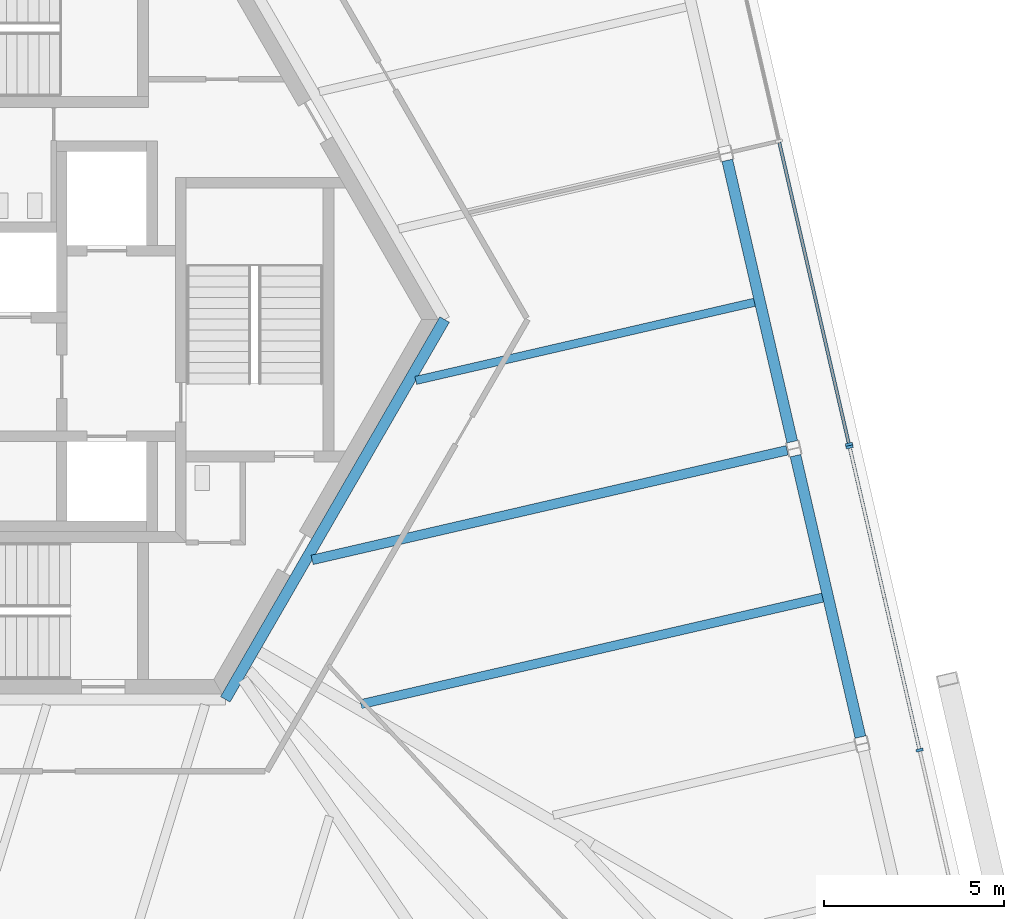
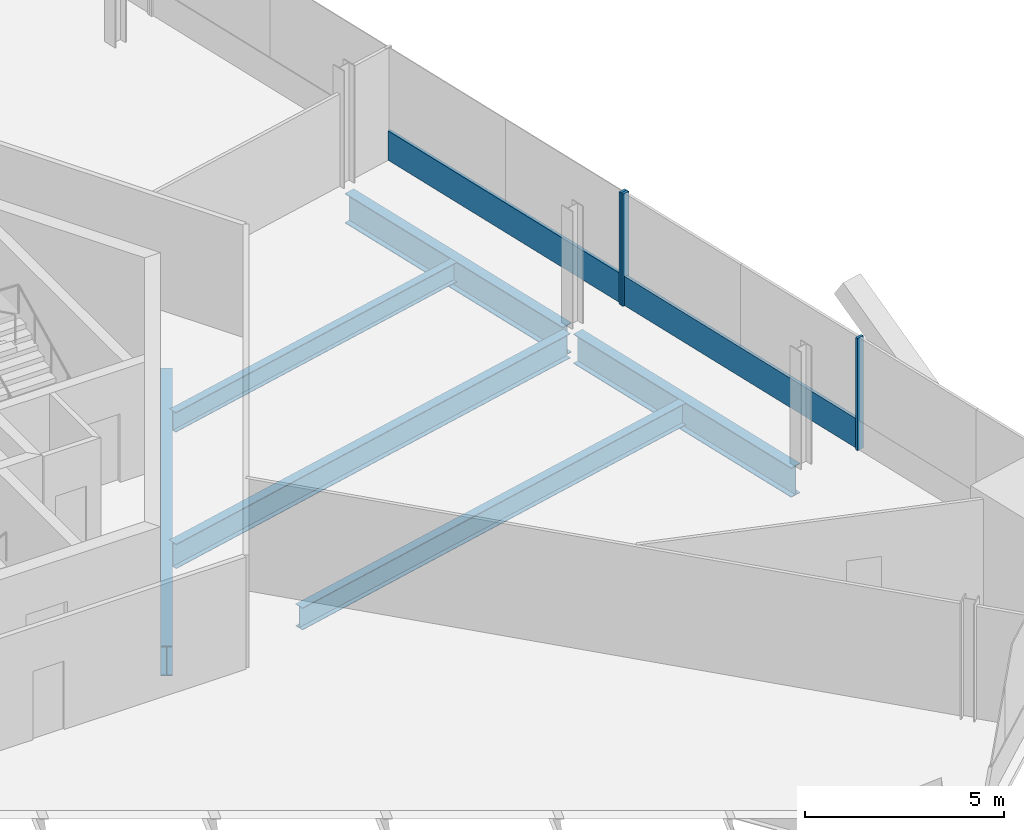
# One storey, part 7 of 18: 6 beams, 5 members, 2 elements without a shape of their own.
"""IFC4 building model written with IfcOpenShell, lengths in metres."""

import ifcopenshell
import ifcopenshell.guid

model = None  # the IFC model being written
_history = None  # IfcOwnerHistory: only IFC2X3 demands one
_inside = {}  # id of a spatial element -> (the spatial element, [elements in it])
_under = {}  # id of a project, library or spatial element -> (it, [spatial elements below it])
_declared = {}  # id of a project -> (the project, [libraries it declares])
_typed = {}  # id of a type object -> (the type object, [elements of that type])
_made_of = {}  # id of a material, layer set ... -> (it, [elements and type objects made of it])


def new_model(schema):
    """Start an empty IFC model of exactly this schema.

    Asked for "IFC4X3", IfcOpenShell would pick the latest addendum, in which some entities
    have other attributes; the version numbers below select the first issue.
    IFC2X3 requires an IfcOwnerHistory on every rooted entity: one is made here for all.
    """
    global model, _history
    if schema == "IFC4X3":
        model = ifcopenshell.file(schema_version=(4, 3, 0, 0))
    else:
        model = ifcopenshell.file(schema=schema)
    _inside.clear()
    _under.clear()
    _declared.clear()
    _typed.clear()
    _made_of.clear()
    _history = None
    if model.schema == "IFC2X3":
        org = make("IfcOrganization", Name="unknown")
        user = make(
            "IfcPersonAndOrganization",
            ThePerson=make("IfcPerson", FamilyName="unknown"),
            TheOrganization=org,
        )
        app = make(
            "IfcApplication",
            ApplicationDeveloper=org,
            Version="unknown",
            ApplicationFullName="unknown",
            ApplicationIdentifier="unknown",
        )
        _history = make(
            "IfcOwnerHistory",
            OwningUser=user,
            OwningApplication=app,
            ChangeAction="ADDED",
            CreationDate=0,
        )
    return model


def make(cls, **values):
    """One entity of the class cls with the attributes given. An attribute that is None is left unset."""
    return model.create_entity(
        cls, **{name: value for name, value in values.items() if value is not None}
    )


def rooted(cls, **values):
    """An entity with a GlobalId (a new one), such as an element, a storey or a relation."""
    return make(cls, GlobalId=ifcopenshell.guid.new(), OwnerHistory=_history, **values)


def si_unit(unit_type, name, prefix=None):
    """IfcSIUnit, for example si_unit("LENGTHUNIT", "METRE", prefix="MILLI")."""
    return make("IfcSIUnit", UnitType=unit_type, Prefix=prefix, Name=name)


def assignment(units):
    """IfcUnitAssignment: the units of a project."""
    return None if units is None else make("IfcUnitAssignment", Units=units)


def point(xyz):
    """IfcCartesianPoint."""
    return None if xyz is None else make("IfcCartesianPoint", Coordinates=xyz)


def direction(xyz):
    """IfcDirection."""
    return None if xyz is None else make("IfcDirection", DirectionRatios=xyz)


def frame(location, z_axis=None, x_axis=None):
    """IfcAxis2Placement3D, a coordinate frame: its origin and axes. An axis left out is left unset."""
    return make(
        "IfcAxis2Placement3D",
        Location=point(location),
        Axis=direction(z_axis),
        RefDirection=direction(x_axis),
    )


def frame_2d(location, x_axis=None):
    """IfcAxis2Placement2D, a coordinate frame in the plane: its origin and x axis."""
    return make(
        "IfcAxis2Placement2D", Location=point(location), RefDirection=direction(x_axis)
    )


def origin():
    """The frame at (0, 0, 0) with its axes left unset."""
    return frame((0.0, 0.0, 0.0))


def origin_2d():
    """The frame at (0, 0) in the plane with its x axis left unset."""
    return frame_2d((0.0, 0.0))


def place(relative_to, where):
    """IfcLocalPlacement: puts the frame where relative to a parent placement (None: the world)."""
    return make(
        "IfcLocalPlacement", PlacementRelTo=relative_to, RelativePlacement=where
    )


def context(
    kind, dimensions, precision=None, world=None, true_north=None, identifier=None
):
    """IfcGeometricRepresentationContext, for example the 3D "Model" context."""
    return make(
        "IfcGeometricRepresentationContext",
        ContextIdentifier=identifier,
        ContextType=kind,
        CoordinateSpaceDimension=dimensions,
        Precision=precision,
        WorldCoordinateSystem=world,
        TrueNorth=true_north,
    )


def subcontext(parent, identifier, kind, view, scale=None):
    """IfcGeometricRepresentationSubContext, for example "Body" below "Model"."""
    return make(
        "IfcGeometricRepresentationSubContext",
        ContextIdentifier=identifier,
        ContextType=kind,
        ParentContext=parent,
        TargetScale=scale,
        TargetView=view,
    )


def project(units=None, contexts=None):
    """IfcProject with its units and contexts."""
    return rooted(
        "IfcProject",
        Name="project",
        RepresentationContexts=contexts,
        UnitsInContext=assignment(units),
    )


def spatial(cls, under=None, at=None, **own):
    """A site, building, storey or space (cls), placed at a placement, below another one or the project."""
    s = rooted(cls, ObjectPlacement=at, **own)
    if under is not None:
        _under.setdefault(under.id(), (under, []))[1].append(s)
    return s


def profile(cls, at=None, kind="AREA", **sizes):
    """A parametric profile (cls). Its sizes go by their IFC names, for example OverallWidth=200.0."""
    return make(cls, ProfileType=kind, Position=at, **sizes)


def rectangle(**sizes):
    """IfcRectangleProfileDef."""
    return profile("IfcRectangleProfileDef", **sizes)


def i_section(**sizes):
    """IfcIShapeProfileDef."""
    return profile("IfcIShapeProfileDef", **sizes)


def extrude(swept, where, along, depth):
    """IfcExtrudedAreaSolid: the profile swept, set in the frame where, extruded along a direction by depth."""
    return make(
        "IfcExtrudedAreaSolid",
        SweptArea=swept,
        Position=where,
        ExtrudedDirection=direction(along),
        Depth=depth,
    )


def shape(context_of_items, identifier, shape_type, items):
    """IfcShapeRepresentation: the items that make up one representation, for example the "Body"."""
    return make(
        "IfcShapeRepresentation",
        ContextOfItems=context_of_items,
        RepresentationIdentifier=identifier,
        RepresentationType=shape_type,
        Items=items,
    )


def source(mapping_origin, context_of_items, identifier, shape_type, items):
    """IfcRepresentationMap: a shape defined once, which mapped items show again and again."""
    return make(
        "IfcRepresentationMap",
        MappingOrigin=mapping_origin,
        MappedRepresentation=shape(context_of_items, identifier, shape_type, items),
    )


def transform(
    local_origin,
    x_axis=None,
    y_axis=None,
    z_axis=None,
    scale=None,
    scale2=None,
    scale3=None,
    uniform=True,
):
    """IfcCartesianTransformationOperator3D, or its non-uniform kind. x_axis, y_axis, z_axis: its Axis1, 2, 3."""
    if uniform:
        return make(
            "IfcCartesianTransformationOperator3D",
            Axis1=direction(x_axis),
            Axis2=direction(y_axis),
            LocalOrigin=point(local_origin),
            Scale=scale,
            Axis3=direction(z_axis),
        )
    return make(
        "IfcCartesianTransformationOperator3DnonUniform",
        Axis1=direction(x_axis),
        Axis2=direction(y_axis),
        LocalOrigin=point(local_origin),
        Scale=scale,
        Axis3=direction(z_axis),
        Scale2=scale2,
        Scale3=scale3,
    )


def mapped(mapping_source, mapping_target):
    """IfcMappedItem: shows the shape of a source again, moved by a transform."""
    return make(
        "IfcMappedItem", MappingSource=mapping_source, MappingTarget=mapping_target
    )


def material(Name=None, Category=None):
    """IfcMaterial."""
    return make("IfcMaterial", Name=Name, Category=Category)


def material_profile(
    of_material, cross_section, Name=None, Category=None, Priority=None
):
    """IfcMaterialProfile: a cross section and its material."""
    return make(
        "IfcMaterialProfile",
        Name=Name,
        Material=of_material,
        Profile=cross_section,
        Priority=Priority,
        Category=Category,
    )


def profile_set(profiles, Name=None, composite=None):
    """IfcMaterialProfileSet."""
    return make(
        "IfcMaterialProfileSet",
        Name=Name,
        MaterialProfiles=profiles,
        CompositeProfile=composite,
    )


def made_of(thing, what):
    """Note that an element or type object is made of a material, layer set ...; save() writes the relation."""
    if what is not None:
        _made_of.setdefault(what.id(), (what, []))[1].append(thing)
    return thing


def type_object(cls, material=None, **own):
    """A type object (cls), such as IfcWallType, which elements share."""
    return made_of(rooted(cls, **own), material)


def element(
    cls,
    number,
    at=None,
    inside=None,
    cuts=None,
    type_object=None,
    material=None,
    context=None,
    identifier="Body",
    shape_type=None,
    held_by="IfcProductDefinitionShape",
    body=None,
    shapes=None,
    **own,
):
    """One element of the class cls, such as IfcWall. Its Tag is "e" and its number.

    at: its placement. inside: the storey or other place that contains it. cuts: it is an
    opening in that element (IfcRelVoidsElement). A single representation is given by context,
    identifier, shape_type and body (its items); several are given by shapes. held_by: the class
    of the entity that holds the representations. save() writes the other relations.
    """
    e = rooted(cls, Tag="e%d" % number, ObjectPlacement=at, **own)
    if body is not None:
        shapes = [shape(context, identifier, shape_type, body)]
    if shapes is not None:
        e.Representation = make(held_by, Representations=shapes)
    if inside is not None:
        _inside.setdefault(inside.id(), (inside, []))[1].append(e)
    if cuts is not None:
        rooted(
            "IfcRelVoidsElement", RelatingBuildingElement=cuts, RelatedOpeningElement=e
        )
    if type_object is not None:
        _typed.setdefault(type_object.id(), (type_object, []))[1].append(e)
    return made_of(e, material)


def aggregate(whole, parts):
    """IfcRelAggregates: a whole, such as a stair, and the parts it consists of."""
    return rooted("IfcRelAggregates", RelatingObject=whole, RelatedObjects=parts)


def save(model, path):
    """Write the relations noted so far, then the file.

    IfcRelAggregates (storeys below a building ...), IfcRelContainedInSpatialStructure (elements
    in a storey), IfcRelDefinesByType, IfcRelAssociatesMaterial and IfcRelDeclares: one each for
    every whole, place, type object, material and project.
    """
    for whole, parts in _under.values():
        aggregate(whole, parts)
    for where, things in _inside.values():
        rooted(
            "IfcRelContainedInSpatialStructure",
            RelatedElements=things,
            RelatingStructure=where,
        )
    for kind, things in _typed.values():
        rooted("IfcRelDefinesByType", RelatedObjects=things, RelatingType=kind)
    for what, things in _made_of.values():
        rooted("IfcRelAssociatesMaterial", RelatedObjects=things, RelatingMaterial=what)
    for by, libraries in _declared.values():
        rooted("IfcRelDeclares", RelatingContext=by, RelatedDefinitions=libraries)
    model.write(path)


model = new_model("IFC4")

# Units and contexts
model_context = context("Model", 3, precision=1e-05, world=origin(), true_north=direction((0.0, 1.0)))
body_context = subcontext(model_context, "Body", "Model", "MODEL_VIEW")
ifc_project = project(units=[si_unit("LENGTHUNIT", "METRE"), si_unit("AREAUNIT", "SQUARE_METRE"), si_unit("VOLUMEUNIT", "CUBIC_METRE"), si_unit("PLANEANGLEUNIT", "RADIAN"), si_unit("MASSUNIT", "GRAM", prefix="KILO")], contexts=[model_context])

# Site, building, storey
site_placement = place(None, origin())
site = spatial("IfcSite", under=ifc_project, at=site_placement, CompositionType="ELEMENT")
building_placement = place(site_placement, origin())
building = spatial("IfcBuilding", under=site, at=building_placement, Name="Triune Harvest Tower", CompositionType="ELEMENT")
storey_placement = place(building_placement, frame((0.0, 0.0, 101.89990234375)))
storey = spatial("IfcBuildingStorey", under=building, at=storey_placement, Name="L25", CompositionType="ELEMENT", Elevation=101.89990234375)

# Beams
ifc_material_1 = material(Name="Steel ASTM A992 Gr 50", Category="steel")
ifc_material_profile_1 = material_profile(ifc_material_1, i_section(OverallWidth=0.3046875, OverallDepth=0.914306640625, WebThickness=0.0166015625, FlangeThickness=0.02587890625, at=origin_2d()), Name="W36x160")
ifc_profile_set_1 = profile_set([ifc_material_profile_1], Name="Steel ASTM A992 Gr 50")
beam_type_1 = type_object("IfcBeamType", Name="CG-1 Core ring girder W36x160", PredefinedType="BEAM", material=ifc_profile_set_1)
shared_shape_1 = source(origin(), body_context, "Body", "SweptSolid", [
    extrude(i_section(OverallWidth=0.3046875, OverallDepth=0.914306640625, WebThickness=0.0166015625, FlangeThickness=0.02587890625, at=origin_2d()), origin(), (0.0, 0.0, 1.0), 12.176025390625),
])
beam_1_placement = place(storey_placement, frame((6.087890625, -10.544677734375, -0.6171875), z_axis=(0.5000099932, 0.866019634131, 0.0), x_axis=(-0.866019634131, 0.5000099932, 0.0)))
element("IfcBeam", 1, at=beam_1_placement, inside=storey, type_object=beam_type_1, Name="beam/L25/CG6", PredefinedType="BEAM", context=body_context, shape_type="MappedRepresentation", body=[
    mapped(shared_shape_1, transform((0.0, 0.0, 0.0), scale=1.0)),
])
ifc_material_2 = material(Name="Steel ASTM A992 Gr 50", Category="steel")
ifc_material_profile_2 = material_profile(ifc_material_2, i_section(OverallWidth=0.3046875, OverallDepth=0.914306640625, WebThickness=0.0166015625, FlangeThickness=0.02587890625, at=origin_2d()), Name="W36x160")
ifc_profile_set_2 = profile_set([ifc_material_profile_2], Name="Steel ASTM A992 Gr 50")
beam_type_2 = type_object("IfcBeamType", Name="SB-1 Spandrel beam W36x160", PredefinedType="SPANDREL", material=ifc_profile_set_2)
shared_shape_2 = source(origin(), body_context, "Body", "SweptSolid", [
    extrude(i_section(OverallWidth=0.3046875, OverallDepth=0.914306640625, WebThickness=0.0166015625, FlangeThickness=0.02587890625, at=origin_2d()), origin(), (0.0, 0.0, 1.0), 8.018310546875),
])
beam_2_placement = place(storey_placement, frame((23.72119140625, -11.591796875, -0.6171875), z_axis=(-0.224950679005, 0.974370151439, 0.0), x_axis=(-0.974370151439, -0.224950679005, 0.0)))
element("IfcBeam", 2, at=beam_2_placement, inside=storey, type_object=beam_type_2, Name="beam/L25/SB2", PredefinedType="SPANDREL", context=body_context, shape_type="MappedRepresentation", body=[
    mapped(shared_shape_2, transform((0.0, 0.0, 0.0), scale=1.0)),
])
shared_shape_3 = source(origin(), body_context, "Body", "SweptSolid", [
    extrude(i_section(OverallWidth=0.3046875, OverallDepth=0.914306640625, WebThickness=0.0166015625, FlangeThickness=0.02587890625, at=origin_2d()), origin(), (0.0, 0.0, 1.0), 8.0185546875),
])
beam_3_placement = place(storey_placement, frame((21.828369140625, -3.39306640625, -0.6171875), z_axis=(-0.22494400542, 0.974371692131, 0.0), x_axis=(-0.974371692131, -0.22494400542, 0.0)))
element("IfcBeam", 3, at=beam_3_placement, inside=storey, type_object=beam_type_2, Name="beam/L25/SB3", PredefinedType="SPANDREL", context=body_context, shape_type="MappedRepresentation", body=[
    mapped(shared_shape_3, transform((0.0, 0.0, 0.0), scale=1.0)),
])
ifc_material_3 = material(Name="Steel ASTM A992 Gr 50", Category="steel")
ifc_material_profile_3 = material_profile(ifc_material_3, i_section(OverallWidth=0.253662109375, OverallDepth=0.683349609375, WebThickness=0.012451171875, FlangeThickness=0.01904296875, at=origin_2d()), Name="W27x94")
ifc_profile_set_3 = profile_set([ifc_material_profile_3], Name="Steel ASTM A992 Gr 50")
beam_type_3 = type_object("IfcBeamType", Name="JT-4 Floor joist W27x94", PredefinedType="JOIST", material=ifc_profile_set_3)
shared_shape_4 = source(origin(), body_context, "Body", "SweptSolid", [
    extrude(i_section(OverallWidth=0.253662109375, OverallDepth=0.683349609375, WebThickness=0.012451171875, FlangeThickness=0.01904296875, at=origin_2d()), origin(), (0.0, 0.0, 1.0), 13.1572265625),
])
beam_4_placement = place(storey_placement, frame((22.6708984375, -7.7197265625, -0.50146484375), z_axis=(-0.974370551145, -0.224948947678, 0.0), x_axis=(0.224948947678, -0.974370551145, 0.0)))
element("IfcBeam", 4, at=beam_4_placement, inside=storey, type_object=beam_type_3, Name="beam/L25/JT3", PredefinedType="JOIST", context=body_context, shape_type="MappedRepresentation", body=[
    mapped(shared_shape_4, transform((0.0, 0.0, 0.0), scale=1.0)),
])
ifc_material_4 = material(Name="Steel ASTM A992 Gr 50", Category="steel")
ifc_material_profile_4 = material_profile(ifc_material_4, i_section(OverallWidth=0.2666015625, OverallDepth=0.7568359375, WebThickness=0.013916015625, FlangeThickness=0.019287109375, at=origin_2d()), Name="W30x108")
ifc_profile_set_4 = profile_set([ifc_material_profile_4], Name="Steel ASTM A992 Gr 50")
beam_type_4 = type_object("IfcBeamType", Name="JT-5 Floor joist W30x108", PredefinedType="JOIST", material=ifc_profile_set_4)
shared_shape_5 = source(origin(), body_context, "Body", "SweptSolid", [
    extrude(i_section(OverallWidth=0.2666015625, OverallDepth=0.7568359375, WebThickness=0.013916015625, FlangeThickness=0.019287109375, at=origin_2d()), origin(), (0.0, 0.0, 1.0), 13.535400390625),
])
beam_5_placement = place(storey_placement, frame((21.687255859375, -3.62890625, -0.538330078125), z_axis=(-0.974372040253, -0.224942497482, 0.0), x_axis=(0.224942497482, -0.974372040253, 0.0)))
element("IfcBeam", 5, at=beam_5_placement, inside=storey, type_object=beam_type_4, Name="beam/L25/JT4", PredefinedType="JOIST", context=body_context, shape_type="MappedRepresentation", body=[
    mapped(shared_shape_5, transform((0.0, 0.0, 0.0), scale=1.0)),
])
ifc_material_5 = material(Name="Steel ASTM A992 Gr 50", Category="steel")
ifc_material_profile_5 = material_profile(ifc_material_5, i_section(OverallWidth=0.22900390625, OverallDepth=0.612060546875, WebThickness=0.011962890625, FlangeThickness=0.01953125, at=origin_2d()), Name="W24x84")
ifc_profile_set_5 = profile_set([ifc_material_profile_5], Name="Steel ASTM A992 Gr 50")
beam_type_5 = type_object("IfcBeamType", Name="JT-3 Floor joist W24x84", PredefinedType="JOIST", material=ifc_profile_set_5)
shared_shape_6 = source(origin(), body_context, "Body", "SweptSolid", [
    extrude(i_section(OverallWidth=0.22900390625, OverallDepth=0.612060546875, WebThickness=0.011962890625, FlangeThickness=0.01953125, at=origin_2d()), origin(), (0.0, 0.0, 1.0), 9.650146484375),
])
beam_6_placement = place(storey_placement, frame((20.778076171875, 0.47900390625, -0.466064453125), z_axis=(-0.974373710713, -0.224935261514, 0.0), x_axis=(0.224935261514, -0.974373710713, 0.0)))
element("IfcBeam", 6, at=beam_6_placement, inside=storey, type_object=beam_type_5, Name="beam/L25/JT5", PredefinedType="JOIST", context=body_context, shape_type="MappedRepresentation", body=[
    mapped(shared_shape_6, transform((0.0, 0.0, 0.0), scale=1.0)),
])

# Curtain wall, members
ifc_material_6 = material(Name="Aluminium bronze anodised", Category="aluminium")
curtain_wall_type_1 = type_object("IfcCurtainWallType", Name="CW-7 Tower stick curtain wall with insulated spandrel infill", PredefinedType="NOTDEFINED", material=ifc_material_6)
curtain_wall_1_placement = place(storey_placement, origin())
curtain_wall_1 = element("IfcCurtainWall", 7, at=curtain_wall_1_placement, inside=storey, type_object=curtain_wall_type_1, Name="CW-7 B3-F1 L25 run 1")
ifc_material_7 = material(Name="Aluminium bronze anodised", Category="aluminium")
ifc_material_profile_6 = material_profile(ifc_material_7, rectangle(XDim=0.199951171875, YDim=0.074951171875, at=origin_2d()), Name="MU-1 mullion 75 x 200")
ifc_profile_set_6 = profile_set([ifc_material_profile_6], Name="Aluminium bronze anodised")
member_type_1 = type_object("IfcMemberType", Name="MU-1 mullion 75 x 200", PredefinedType="MULLION", material=ifc_profile_set_6)
shared_shape_7 = source(origin(), body_context, "Body", "SweptSolid", [
    extrude(rectangle(XDim=0.199951171875, YDim=0.074951171875, at=origin_2d()), origin(), (0.0, 0.0, 1.0), 3.440185546875),
])
member_1_placement = place(storey_placement, frame((25.363525390625, -11.954345703125, 0.0), z_axis=(0.0, 0.0, 1.0), x_axis=(-0.974370128597, -0.224950777946, 0.0)))
member_1 = element("IfcMember", 8, at=member_1_placement, type_object=member_type_1, Name="CW-7 mullion B3-F1 1.3", PredefinedType="MULLION", context=body_context, shape_type="MappedRepresentation", body=[
    mapped(shared_shape_7, transform((0.0, 0.0, 0.0), scale=1.0)),
])
member_2_placement = place(storey_placement, frame((23.419921875, -3.53662109375, 0.0), z_axis=(0.0, 0.0, 1.0), x_axis=(-0.974370128597, -0.224950777946, 0.0)))
member_2 = element("IfcMember", 9, at=member_2_placement, type_object=member_type_1, Name="CW-7 mullion B3-F1 1.5", PredefinedType="MULLION", context=body_context, shape_type="MappedRepresentation", body=[
    mapped(shared_shape_7, transform((0.0, 0.0, 0.0), scale=1.0)),
])

# Curtain wall, member
ifc_material_8 = material(Name="Aluminium bronze anodised", Category="aluminium")
curtain_wall_type_2 = type_object("IfcCurtainWallType", Name="CW-1 Tower stick curtain wall", PredefinedType="NOTDEFINED", material=ifc_material_8)
curtain_wall_2_placement = place(storey_placement, origin())
curtain_wall_2 = element("IfcCurtainWall", 10, at=curtain_wall_2_placement, inside=storey, type_object=curtain_wall_type_2, Name="CW-1 B3-F1 L25 run 1001")
member_3_placement = place(storey_placement, frame((23.403076171875, -3.46337890625, 0.0), z_axis=(0.0, 0.0, 1.0), x_axis=(-0.974369824591, -0.224952094735, 0.0)))
member_3 = element("IfcMember", 11, at=member_3_placement, type_object=member_type_1, Name="CW-1 mullion B3-F1 1001.1", PredefinedType="MULLION", context=body_context, shape_type="MappedRepresentation", body=[
    mapped(shared_shape_7, transform((0.0, 0.0, 0.0), scale=1.0)),
])

# Member
ifc_material_9 = material(Name="Aluminium bronze anodised", Category="aluminium")
ifc_material_profile_7 = material_profile(ifc_material_9, rectangle(XDim=0.090087890625, YDim=0.89990234375, at=origin_2d()), Name="TR-1 transom 90 x 900")
ifc_profile_set_7 = profile_set([ifc_material_profile_7], Name="Aluminium bronze anodised")
member_type_2 = type_object("IfcMemberType", Name="TR-1 transom 90 x 900", PredefinedType="USERDEFINED", material=ifc_profile_set_7)
shared_shape_8 = source(origin(), body_context, "Body", "SweptSolid", [
    extrude(rectangle(XDim=0.090087890625, YDim=0.89990234375, at=origin_2d()), origin(), (0.0, 0.0, 1.0), 8.564208984375),
])
member_4_placement = place(storey_placement, frame((25.35498046875, -11.917724609375, 0.4501953125), z_axis=(-0.224949030659, 0.974370531988, 0.0), x_axis=(-0.974370531988, -0.224949030659, 0.0)))
member_4 = element("IfcMember", 12, at=member_4_placement, type_object=member_type_2, Name="CW-7 transom B3-F1 1.2", ObjectType="TRANSOM", PredefinedType="USERDEFINED", context=body_context, shape_type="MappedRepresentation", body=[
    mapped(shared_shape_8, transform((0.0, 0.0, 0.0), scale=1.0)),
])

aggregate(curtain_wall_1, [member_1, member_2, member_4])

member_5_placement = place(storey_placement, frame((23.394775390625, -3.427001953125, 0.4501953125), z_axis=(-0.224949030659, 0.974370531988, 0.0), x_axis=(-0.974370531988, -0.224949030659, 0.0)))
member_5 = element("IfcMember", 13, at=member_5_placement, type_object=member_type_2, Name="CW-1 transom B3-F1 1001.1", ObjectType="TRANSOM", PredefinedType="USERDEFINED", context=body_context, shape_type="MappedRepresentation", body=[
    mapped(shared_shape_8, transform((0.0, 0.0, 0.0), scale=1.0)),
])

aggregate(curtain_wall_2, [member_3, member_5])

save(model, "model.ifc")
